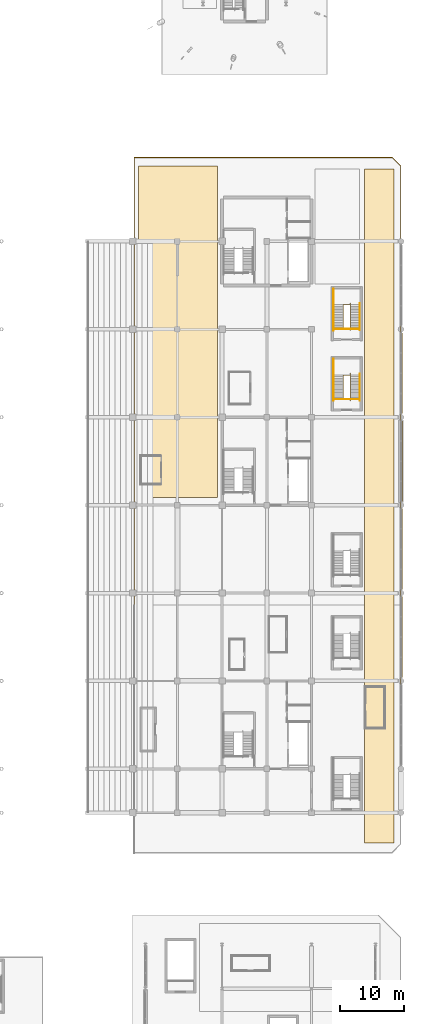
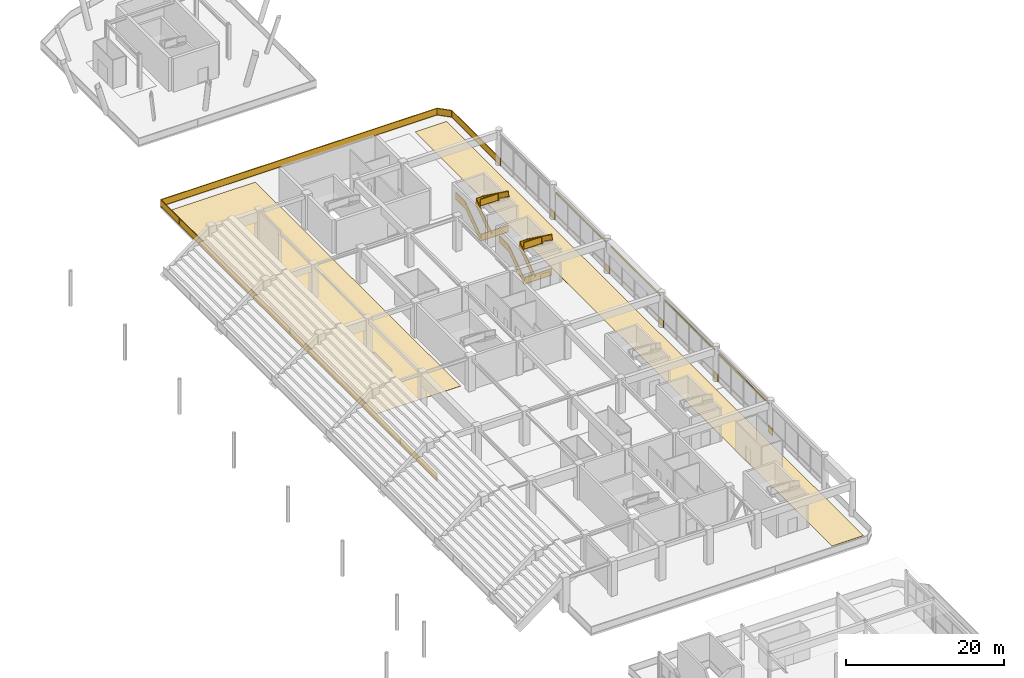
# One storey, part 112 of 117: 14 railings, 4 shading devices, 2 coverings.
"""IFC4 building model written with IfcOpenShell, lengths in metres."""

from ifc_helpers import new_model, si_unit, direction, frame, origin, origin_2d, place, context, subcontext, project, spatial, polyline, rectangle, outline, extrude, material, layer, layer_set, type_object, element, save


model = new_model("IFC4")

# Units and contexts
model_context = context("Model", 3, precision=1e-05, world=origin(), true_north=direction((0.0, 1.0)))
body_context = subcontext(model_context, "Body", "Model", "MODEL_VIEW")
ifc_project = project(units=[si_unit("LENGTHUNIT", "METRE"), si_unit("AREAUNIT", "SQUARE_METRE"), si_unit("VOLUMEUNIT", "CUBIC_METRE"), si_unit("PLANEANGLEUNIT", "RADIAN"), si_unit("MASSUNIT", "GRAM", prefix="KILO")], contexts=[model_context])

# Site, building, storey
site_placement = place(None, origin())
site = spatial("IfcSite", under=ifc_project, at=site_placement, CompositionType="ELEMENT")
building_placement = place(site_placement, origin())
building = spatial("IfcBuilding", under=site, at=building_placement, Name="Linyun Crest Stadium", CompositionType="ELEMENT")
storey_placement = place(building_placement, frame((0.0, 0.0, 6.0)))
storey = spatial("IfcBuildingStorey", under=building, at=storey_placement, Name="L02", CompositionType="ELEMENT", Elevation=6.0)

# Coverings
ifc_material_1 = material(Name="Terrazzo concourse and hospitality floor finish")
ifc_layer_1 = layer(ifc_material_1, 0.02197265625)
ifc_layer_set_1 = layer_set([ifc_layer_1], Name="Terrazzo concourse and hospitality floor finish")
covering_type = type_object("IfcCoveringType", Name="FLR02", PredefinedType="FLOORING", material=ifc_layer_set_1)
covering_1_placement = place(storey_placement, origin())
element("IfcCovering", 1, at=covering_1_placement, inside=storey, type_object=covering_type, Name="Terrazzo flooring FLR02 22", PredefinedType="FLOORING", context=body_context, shape_type="SweptSolid", body=[
    extrude(outline(polyline([(92.300048828125, -50.699951171875), (96.89990234375, -50.699951171875), (96.89990234375, 54.699951171875), (92.300048828125, 54.699951171875), (92.300048828125, -50.699951171875)])), origin(), (0.0, 0.0, 1.0), 0.02197265625),
])
covering_2_placement = place(storey_placement, origin())
element("IfcCovering", 2, at=covering_2_placement, inside=storey, type_object=covering_type, Name="Terrazzo flooring FLR02 23", PredefinedType="FLOORING", context=body_context, shape_type="SweptSolid", body=[
    extrude(outline(polyline([(56.89990234375, 3.300048828125), (69.300048828125, 3.300048828125), (69.300048828125, 55.199951171875), (56.89990234375, 55.199951171875), (56.89990234375, 3.300048828125)])), origin(), (0.0, 0.0, 1.0), 0.02197265625),
])

# Railings
ifc_material_2 = material(Name="Galvanized and powder-coated steel bowl safety barrier", Category="steel")
railing_type_1 = type_object("IfcRailingType", Name="GR02", PredefinedType="GUARDRAIL", material=ifc_material_2)
railing_1_placement = place(storey_placement, frame((97.93994140625, -24.824951171875, 0.0)))
element("IfcRailing", 3, at=railing_1_placement, inside=storey, type_object=railing_type_1, Name="Slab edge balustrade GR02 118", PredefinedType="GUARDRAIL", context=body_context, shape_type="SweptSolid", body=[
    extrude(rectangle(XDim=0.06005859375, YDim=0.06005859375, at=origin_2d()), frame((0.0, 0.0, 1.090087890625), z_axis=(0.0, -1.0, 0.0), x_axis=(1.0, 0.0, 0.0)), (0.0, 0.0, 1.0), 1.10009765625),
    extrude(rectangle(XDim=0.030029296875, YDim=1.0, at=origin_2d()), frame((0.0, 0.0, 0.56005859375), z_axis=(0.0, -1.0, 0.0), x_axis=(1.0, 0.0, 0.0)), (0.0, 0.0, 1.0), 1.10009765625),
    extrude(rectangle(XDim=0.06005859375, YDim=0.06005859375, at=origin_2d()), frame((0.0, 0.0, 0.030029296875), z_axis=(0.0, -1.0, 0.0), x_axis=(1.0, 0.0, 0.0)), (0.0, 0.0, 1.0), 1.10009765625),
    extrude(rectangle(XDim=0.050048828125, YDim=0.050048828125, at=origin_2d()), origin(), (0.0, 0.0, 1.0), 1.1201171875),
    extrude(rectangle(XDim=0.050048828125, YDim=0.050048828125, at=origin_2d()), frame((0.0, -1.10009765625, 0.0)), (0.0, 0.0, 1.0), 1.1201171875),
])
railing_2_placement = place(storey_placement, frame((56.260009765625, -13.330078125, 0.0)))
element("IfcRailing", 4, at=railing_2_placement, inside=storey, type_object=railing_type_1, Name="Slab edge balustrade GR02 124", PredefinedType="GUARDRAIL", context=body_context, shape_type="SweptSolid", body=[
    extrude(rectangle(XDim=0.06005859375, YDim=0.06005859375, at=origin_2d()), frame((0.0, 0.0, 1.090087890625), z_axis=(0.0, 1.0, 0.0), x_axis=(-1.0, 0.0, 0.0)), (0.0, 0.0, 1.0), 69.85498046875),
    extrude(rectangle(XDim=0.030029296875, YDim=1.0, at=origin_2d()), frame((0.0, 0.0, 0.56005859375), z_axis=(0.0, 1.0, 0.0), x_axis=(-1.0, 0.0, 0.0)), (0.0, 0.0, 1.0), 69.85498046875),
    extrude(rectangle(XDim=0.06005859375, YDim=0.06005859375, at=origin_2d()), frame((0.0, 0.0, 0.030029296875), z_axis=(0.0, 1.0, 0.0), x_axis=(-1.0, 0.0, 0.0)), (0.0, 0.0, 1.0), 69.85498046875),
    extrude(rectangle(XDim=0.06005859375, YDim=0.06005859375, at=origin_2d()), frame((0.0, 69.85498046875, 1.090087890625), z_axis=(1.0, 0.0, 0.0), x_axis=(0.0, 1.0, 0.0)), (0.0, 0.0, 1.0), 40.31494140625),
    extrude(rectangle(XDim=0.030029296875, YDim=1.0, at=origin_2d()), frame((0.0, 69.85498046875, 0.56005859375), z_axis=(1.0, 0.0, 0.0), x_axis=(0.0, 1.0, 0.0)), (0.0, 0.0, 1.0), 40.31494140625),
    extrude(rectangle(XDim=0.06005859375, YDim=0.06005859375, at=origin_2d()), frame((0.0, 69.85498046875, 0.030029296875), z_axis=(1.0, 0.0, 0.0), x_axis=(0.0, 1.0, 0.0)), (0.0, 0.0, 1.0), 40.31494140625),
    extrude(rectangle(XDim=0.06005859375, YDim=0.06005859375, at=origin_2d()), frame((40.31494140625, 69.85498046875, 1.090087890625), z_axis=(0.707106781187, -0.707106781187, 0.0), x_axis=(0.707106781187, 0.707106781187, 0.0)), (0.0, 0.0, 1.0), 1.930419921875),
    extrude(rectangle(XDim=0.030029296875, YDim=1.0, at=origin_2d()), frame((40.31494140625, 69.85498046875, 0.56005859375), z_axis=(0.707106781187, -0.707106781187, 0.0), x_axis=(0.707106781187, 0.707106781187, 0.0)), (0.0, 0.0, 1.0), 1.930419921875),
    extrude(rectangle(XDim=0.06005859375, YDim=0.06005859375, at=origin_2d()), frame((40.31494140625, 69.85498046875, 0.030029296875), z_axis=(0.707106781187, -0.707106781187, 0.0), x_axis=(0.707106781187, 0.707106781187, 0.0)), (0.0, 0.0, 1.0), 1.930419921875),
    extrude(rectangle(XDim=0.06005859375, YDim=0.06005859375, at=origin_2d()), frame((41.679931640625, 68.489990234375, 1.090087890625), z_axis=(0.0, -1.0, 0.0), x_axis=(1.0, 0.0, 0.0)), (0.0, 0.0, 1.0), 12.3349609375),
    extrude(rectangle(XDim=0.030029296875, YDim=1.0, at=origin_2d()), frame((41.679931640625, 68.489990234375, 0.56005859375), z_axis=(0.0, -1.0, 0.0), x_axis=(1.0, 0.0, 0.0)), (0.0, 0.0, 1.0), 12.3349609375),
    extrude(rectangle(XDim=0.06005859375, YDim=0.06005859375, at=origin_2d()), frame((41.679931640625, 68.489990234375, 0.030029296875), z_axis=(0.0, -1.0, 0.0), x_axis=(1.0, 0.0, 0.0)), (0.0, 0.0, 1.0), 12.3349609375),
    extrude(rectangle(XDim=0.050048828125, YDim=0.050048828125, at=origin_2d()), origin(), (0.0, 0.0, 1.0), 1.1201171875),
    extrude(rectangle(XDim=0.050048828125, YDim=0.050048828125, at=origin_2d()), frame((0.0, 4.656982421875, 0.0)), (0.0, 0.0, 1.0), 1.1201171875),
    extrude(rectangle(XDim=0.050048828125, YDim=0.050048828125, at=origin_2d()), frame((0.0, 9.31396484375, 0.0)), (0.0, 0.0, 1.0), 1.1201171875),
    extrude(rectangle(XDim=0.050048828125, YDim=0.050048828125, at=origin_2d()), frame((0.0, 13.970947265625, 0.0)), (0.0, 0.0, 1.0), 1.1201171875),
    extrude(rectangle(XDim=0.050048828125, YDim=0.050048828125, at=origin_2d()), frame((0.0, 18.6279296875, 0.0)), (0.0, 0.0, 1.0), 1.1201171875),
    extrude(rectangle(XDim=0.050048828125, YDim=0.050048828125, at=origin_2d()), frame((0.0, 23.284912109375, 0.0)), (0.0, 0.0, 1.0), 1.1201171875),
    extrude(rectangle(XDim=0.050048828125, YDim=0.050048828125, at=origin_2d()), frame((0.0, 27.94189453125, 0.0)), (0.0, 0.0, 1.0), 1.1201171875),
    extrude(rectangle(XDim=0.050048828125, YDim=0.050048828125, at=origin_2d()), frame((0.0, 32.598876953125, 0.0)), (0.0, 0.0, 1.0), 1.1201171875),
    extrude(rectangle(XDim=0.050048828125, YDim=0.050048828125, at=origin_2d()), frame((0.0, 37.256103515625, 0.0)), (0.0, 0.0, 1.0), 1.1201171875),
    extrude(rectangle(XDim=0.050048828125, YDim=0.050048828125, at=origin_2d()), frame((0.0, 41.9130859375, 0.0)), (0.0, 0.0, 1.0), 1.1201171875),
    extrude(rectangle(XDim=0.050048828125, YDim=0.050048828125, at=origin_2d()), frame((0.0, 46.570068359375, 0.0)), (0.0, 0.0, 1.0), 1.1201171875),
    extrude(rectangle(XDim=0.050048828125, YDim=0.050048828125, at=origin_2d()), frame((0.0, 51.22705078125, 0.0)), (0.0, 0.0, 1.0), 1.1201171875),
    extrude(rectangle(XDim=0.050048828125, YDim=0.050048828125, at=origin_2d()), frame((0.0, 55.884033203125, 0.0)), (0.0, 0.0, 1.0), 1.1201171875),
    extrude(rectangle(XDim=0.050048828125, YDim=0.050048828125, at=origin_2d()), frame((0.0, 60.541015625, 0.0)), (0.0, 0.0, 1.0), 1.1201171875),
    extrude(rectangle(XDim=0.050048828125, YDim=0.050048828125, at=origin_2d()), frame((0.0, 65.197998046875, 0.0)), (0.0, 0.0, 1.0), 1.1201171875),
    extrude(rectangle(XDim=0.050048828125, YDim=0.050048828125, at=origin_2d()), frame((0.0, 69.85498046875, 0.0)), (0.0, 0.0, 1.0), 1.1201171875),
    extrude(rectangle(XDim=0.050048828125, YDim=0.050048828125, at=origin_2d()), frame((4.4794921875, 69.85498046875, 0.0)), (0.0, 0.0, 1.0), 1.1201171875),
    extrude(rectangle(XDim=0.050048828125, YDim=0.050048828125, at=origin_2d()), frame((8.958984375, 69.85498046875, 0.0)), (0.0, 0.0, 1.0), 1.1201171875),
    extrude(rectangle(XDim=0.050048828125, YDim=0.050048828125, at=origin_2d()), frame((13.438232421875, 69.85498046875, 0.0)), (0.0, 0.0, 1.0), 1.1201171875),
    extrude(rectangle(XDim=0.050048828125, YDim=0.050048828125, at=origin_2d()), frame((17.917724609375, 69.85498046875, 0.0)), (0.0, 0.0, 1.0), 1.1201171875),
    extrude(rectangle(XDim=0.050048828125, YDim=0.050048828125, at=origin_2d()), frame((22.397216796875, 69.85498046875, 0.0)), (0.0, 0.0, 1.0), 1.1201171875),
    extrude(rectangle(XDim=0.050048828125, YDim=0.050048828125, at=origin_2d()), frame((26.876708984375, 69.85498046875, 0.0)), (0.0, 0.0, 1.0), 1.1201171875),
    extrude(rectangle(XDim=0.050048828125, YDim=0.050048828125, at=origin_2d()), frame((31.35595703125, 69.85498046875, 0.0)), (0.0, 0.0, 1.0), 1.1201171875),
    extrude(rectangle(XDim=0.050048828125, YDim=0.050048828125, at=origin_2d()), frame((35.83544921875, 69.85498046875, 0.0)), (0.0, 0.0, 1.0), 1.1201171875),
    extrude(rectangle(XDim=0.050048828125, YDim=0.050048828125, at=origin_2d()), frame((40.31494140625, 69.85498046875, 0.0)), (0.0, 0.0, 1.0), 1.1201171875),
    extrude(rectangle(XDim=0.050048828125, YDim=0.050048828125, at=origin_2d()), frame((41.679931640625, 68.489990234375, 0.0)), (0.0, 0.0, 1.0), 1.1201171875),
    extrude(rectangle(XDim=0.050048828125, YDim=0.050048828125, at=origin_2d()), frame((41.679931640625, 64.37841796875, 0.0)), (0.0, 0.0, 1.0), 1.1201171875),
    extrude(rectangle(XDim=0.050048828125, YDim=0.050048828125, at=origin_2d()), frame((41.679931640625, 60.2666015625, 0.0)), (0.0, 0.0, 1.0), 1.1201171875),
    extrude(rectangle(XDim=0.050048828125, YDim=0.050048828125, at=origin_2d()), frame((41.679931640625, 56.155029296875, 0.0)), (0.0, 0.0, 1.0), 1.1201171875),
])
for number, where, name in (
    (5, (97.93994140625, 30.175048828125, 0.0), "Slab edge balustrade GR02 125"),
    (6, (97.93994140625, 16.425048828125, 0.0), "Slab edge balustrade GR02 126"),
    (7, (97.93994140625, 2.675048828125, 0.0), "Slab edge balustrade GR02 127"),
    (8, (97.93994140625, -11.074951171875, 0.0), "Slab edge balustrade GR02 128"),
):
    element("IfcRailing", number, at=place(storey_placement, frame(where)), inside=storey, type_object=railing_type_1, Name=name, PredefinedType="GUARDRAIL", context=body_context, shape_type="SweptSolid", body=[
        extrude(rectangle(XDim=0.06005859375, YDim=0.06005859375, at=origin_2d()), frame((0.0, 0.0, 1.090087890625), z_axis=(0.0, -1.0, 0.0), x_axis=(1.0, 0.0, 0.0)), (0.0, 0.0, 1.0), 1.10009765625),
        extrude(rectangle(XDim=0.030029296875, YDim=1.0, at=origin_2d()), frame((0.0, 0.0, 0.56005859375), z_axis=(0.0, -1.0, 0.0), x_axis=(1.0, 0.0, 0.0)), (0.0, 0.0, 1.0), 1.10009765625),
        extrude(rectangle(XDim=0.06005859375, YDim=0.06005859375, at=origin_2d()), frame((0.0, 0.0, 0.030029296875), z_axis=(0.0, -1.0, 0.0), x_axis=(1.0, 0.0, 0.0)), (0.0, 0.0, 1.0), 1.10009765625),
        extrude(rectangle(XDim=0.050048828125, YDim=0.050048828125, at=origin_2d()), origin(), (0.0, 0.0, 1.0), 1.1201171875),
        extrude(rectangle(XDim=0.050048828125, YDim=0.050048828125, at=origin_2d()), frame((0.0, -1.10009765625, 0.0)), (0.0, 0.0, 1.0), 1.1201171875),
    ])
for number, where, name in (
    (9, (87.5400390625, 18.68994140625, 0.0), "Slab edge balustrade GR02 130"),
    (10, (87.5400390625, 29.68994140625, 0.0), "Slab edge balustrade GR02 131"),
):
    element("IfcRailing", number, at=place(storey_placement, frame(where)), inside=storey, type_object=railing_type_1, Name=name, PredefinedType="GUARDRAIL", context=body_context, shape_type="SweptSolid", body=[
        extrude(rectangle(XDim=0.06005859375, YDim=0.06005859375, at=origin_2d()), frame((0.0, 0.0, 1.090087890625), z_axis=(1.0, 0.0, 0.0), x_axis=(0.0, 1.0, 0.0)), (0.0, 0.0, 1.0), 3.919921875),
        extrude(rectangle(XDim=0.030029296875, YDim=1.0, at=origin_2d()), frame((0.0, 0.0, 0.56005859375), z_axis=(1.0, 0.0, 0.0), x_axis=(0.0, 1.0, 0.0)), (0.0, 0.0, 1.0), 3.919921875),
        extrude(rectangle(XDim=0.06005859375, YDim=0.06005859375, at=origin_2d()), frame((0.0, 0.0, 0.030029296875), z_axis=(1.0, 0.0, 0.0), x_axis=(0.0, 1.0, 0.0)), (0.0, 0.0, 1.0), 3.919921875),
        extrude(rectangle(XDim=0.050048828125, YDim=0.050048828125, at=origin_2d()), origin(), (0.0, 0.0, 1.0), 1.1201171875),
        extrude(rectangle(XDim=0.050048828125, YDim=0.050048828125, at=origin_2d()), frame((3.919921875, 0.0, 0.0)), (0.0, 0.0, 1.0), 1.1201171875),
    ])
ifc_material_3 = material(Name="Painted steel stairwell safety guard", Category="steel")
railing_type_2 = type_object("IfcRailingType", Name="GR03", PredefinedType="GUARDRAIL", material=ifc_material_3)
railing_3_placement = place(storey_placement, frame((87.429931640625, 18.719970703125, 0.0)))
element("IfcRailing", 11, at=railing_3_placement, inside=storey, type_object=railing_type_2, Name="STR-21-L02 outer guard", PredefinedType="GUARDRAIL", context=body_context, shape_type="SweptSolid", body=[
    extrude(rectangle(XDim=0.06005859375, YDim=0.06005859375, at=origin_2d()), frame((0.0, 0.0, 1.090087890625), z_axis=(0.0, 0.811539352079, 0.584297766578), x_axis=(-1.0, 0.0, 0.0)), (0.0, 0.0, 1.0), 4.620849609375),
    extrude(rectangle(XDim=0.030029296875, YDim=1.0, at=origin_2d()), frame((0.0, 0.0, 0.56005859375), z_axis=(0.0, 0.811539352079, 0.584297766578), x_axis=(-1.0, 0.0, 0.0)), (0.0, 0.0, 1.0), 4.620849609375),
    extrude(rectangle(XDim=0.06005859375, YDim=0.06005859375, at=origin_2d()), frame((0.0, 0.0, 0.030029296875), z_axis=(0.0, 0.811539352079, 0.584297766578), x_axis=(-1.0, 0.0, 0.0)), (0.0, 0.0, 1.0), 4.620849609375),
    extrude(rectangle(XDim=0.06005859375, YDim=0.06005859375, at=origin_2d()), frame((0.0, 3.75, 3.7900390625), z_axis=(0.0, 1.0, 0.0), x_axis=(-1.0, 0.0, 0.0)), (0.0, 0.0, 1.0), 2.5),
    extrude(rectangle(XDim=0.030029296875, YDim=1.0, at=origin_2d()), frame((0.0, 3.75, 3.260009765625), z_axis=(0.0, 1.0, 0.0), x_axis=(-1.0, 0.0, 0.0)), (0.0, 0.0, 1.0), 2.5),
    extrude(rectangle(XDim=0.06005859375, YDim=0.06005859375, at=origin_2d()), frame((0.0, 3.75, 2.72998046875), z_axis=(0.0, 1.0, 0.0), x_axis=(-1.0, 0.0, 0.0)), (0.0, 0.0, 1.0), 2.5),
    extrude(rectangle(XDim=0.050048828125, YDim=0.050048828125, at=origin_2d()), origin(), (0.0, 0.0, 1.0), 1.1201171875),
    extrude(rectangle(XDim=0.050048828125, YDim=0.050048828125, at=origin_2d()), frame((0.0, 1.25, 0.89990234375)), (0.0, 0.0, 1.0), 1.1201171875),
    extrude(rectangle(XDim=0.050048828125, YDim=0.050048828125, at=origin_2d()), frame((0.0, 2.5, 1.800048828125)), (0.0, 0.0, 1.0), 1.1201171875),
    extrude(rectangle(XDim=0.050048828125, YDim=0.050048828125, at=origin_2d()), frame((0.0, 3.75, 2.699951171875)), (0.0, 0.0, 1.0), 1.1201171875),
    extrude(rectangle(XDim=0.050048828125, YDim=0.050048828125, at=origin_2d()), frame((0.0, 5.0, 2.699951171875)), (0.0, 0.0, 1.0), 1.1201171875),
    extrude(rectangle(XDim=0.050048828125, YDim=0.050048828125, at=origin_2d()), frame((0.0, 6.25, 2.699951171875)), (0.0, 0.0, 1.0), 1.1201171875),
])
railing_4_placement = place(storey_placement, frame((88.969970703125, 18.699951171875, 0.0)))
element("IfcRailing", 12, at=railing_4_placement, inside=storey, type_object=railing_type_2, Name="STR-21-L02 inner well guard", PredefinedType="GUARDRAIL", context=body_context, shape_type="SweptSolid", body=[
    extrude(rectangle(XDim=0.06005859375, YDim=0.06005859375, at=origin_2d()), frame((0.0, 0.0, 1.090087890625), z_axis=(0.0, 0.813010693788, 0.582248754216), x_axis=(-1.0, 0.0, 0.0)), (0.0, 0.0, 1.0), 4.63720703125),
    extrude(rectangle(XDim=0.030029296875, YDim=1.0, at=origin_2d()), frame((0.0, 0.0, 0.56005859375), z_axis=(0.0, 0.813010693788, 0.582248754216), x_axis=(-1.0, 0.0, 0.0)), (0.0, 0.0, 1.0), 4.63720703125),
    extrude(rectangle(XDim=0.06005859375, YDim=0.06005859375, at=origin_2d()), frame((0.0, 0.0, 0.030029296875), z_axis=(0.0, 0.813010693788, 0.582248754216), x_axis=(-1.0, 0.0, 0.0)), (0.0, 0.0, 1.0), 4.63720703125),
    extrude(rectangle(XDim=0.06005859375, YDim=0.06005859375, at=origin_2d()), frame((0.0, 3.77001953125, 3.7900390625), z_axis=(1.0, 0.0, 0.0), x_axis=(0.0, 1.0, 0.0)), (0.0, 0.0, 1.0), 1.06005859375),
    extrude(rectangle(XDim=0.030029296875, YDim=1.0, at=origin_2d()), frame((0.0, 3.77001953125, 3.260009765625), z_axis=(1.0, 0.0, 0.0), x_axis=(0.0, 1.0, 0.0)), (0.0, 0.0, 1.0), 1.06005859375),
    extrude(rectangle(XDim=0.06005859375, YDim=0.06005859375, at=origin_2d()), frame((0.0, 3.77001953125, 2.72998046875), z_axis=(1.0, 0.0, 0.0), x_axis=(0.0, 1.0, 0.0)), (0.0, 0.0, 1.0), 1.06005859375),
    extrude(rectangle(XDim=0.06005859375, YDim=0.06005859375, at=origin_2d()), frame((1.06005859375, 3.77001953125, 3.7900390625), z_axis=(0.0, -0.813010693788, 0.582248754216), x_axis=(1.0, 0.0, 0.0)), (0.0, 0.0, 1.0), 4.63720703125),
    extrude(rectangle(XDim=0.030029296875, YDim=1.0, at=origin_2d()), frame((1.06005859375, 3.77001953125, 3.260009765625), z_axis=(0.0, -0.813010693788, 0.582248754216), x_axis=(1.0, 0.0, 0.0)), (0.0, 0.0, 1.0), 4.63720703125),
    extrude(rectangle(XDim=0.06005859375, YDim=0.06005859375, at=origin_2d()), frame((1.06005859375, 3.77001953125, 2.72998046875), z_axis=(0.0, -0.813010693788, 0.582248754216), x_axis=(1.0, 0.0, 0.0)), (0.0, 0.0, 1.0), 4.63720703125),
    extrude(rectangle(XDim=0.06005859375, YDim=0.06005859375, at=origin_2d()), frame((1.06005859375, 0.0, 6.489990234375), z_axis=(-1.0, 0.0, 0.0), x_axis=(0.0, -1.0, 0.0)), (0.0, 0.0, 1.0), 2.610107421875),
    extrude(rectangle(XDim=0.030029296875, YDim=1.0, at=origin_2d()), frame((1.06005859375, 0.0, 5.9599609375), z_axis=(-1.0, 0.0, 0.0), x_axis=(0.0, -1.0, 0.0)), (0.0, 0.0, 1.0), 2.610107421875),
    extrude(rectangle(XDim=0.06005859375, YDim=0.06005859375, at=origin_2d()), frame((1.06005859375, 0.0, 5.429931640625), z_axis=(-1.0, 0.0, 0.0), x_axis=(0.0, -1.0, 0.0)), (0.0, 0.0, 1.0), 2.610107421875),
    extrude(rectangle(XDim=0.050048828125, YDim=0.050048828125, at=origin_2d()), origin(), (0.0, 0.0, 1.0), 1.1201171875),
    extrude(rectangle(XDim=0.050048828125, YDim=0.050048828125, at=origin_2d()), frame((0.0, 1.256591796875, 0.89990234375)), (0.0, 0.0, 1.0), 1.1201171875),
    extrude(rectangle(XDim=0.050048828125, YDim=0.050048828125, at=origin_2d()), frame((0.0, 2.513427734375, 1.800048828125)), (0.0, 0.0, 1.0), 1.1201171875),
    extrude(rectangle(XDim=0.050048828125, YDim=0.050048828125, at=origin_2d()), frame((0.0, 3.77001953125, 2.699951171875)), (0.0, 0.0, 1.0), 1.1201171875),
    extrude(rectangle(XDim=0.050048828125, YDim=0.050048828125, at=origin_2d()), frame((1.06005859375, 3.77001953125, 2.699951171875)), (0.0, 0.0, 1.0), 1.1201171875),
    extrude(rectangle(XDim=0.050048828125, YDim=0.050048828125, at=origin_2d()), frame((1.06005859375, 2.513427734375, 3.599853515625)), (0.0, 0.0, 1.0), 1.1201171875),
    extrude(rectangle(XDim=0.050048828125, YDim=0.050048828125, at=origin_2d()), frame((1.06005859375, 1.256591796875, 4.5)), (0.0, 0.0, 1.0), 1.1201171875),
    extrude(rectangle(XDim=0.050048828125, YDim=0.050048828125, at=origin_2d()), frame((1.06005859375, 0.0, 5.39990234375)), (0.0, 0.0, 1.0), 1.1201171875),
    extrude(rectangle(XDim=0.050048828125, YDim=0.050048828125, at=origin_2d()), frame((-0.2451171875, 0.0, 5.39990234375)), (0.0, 0.0, 1.0), 1.1201171875),
    extrude(rectangle(XDim=0.050048828125, YDim=0.050048828125, at=origin_2d()), frame((-1.550048828125, 0.0, 5.39990234375)), (0.0, 0.0, 1.0), 1.1201171875),
])
railing_5_placement = place(storey_placement, frame((87.429931640625, 29.719970703125, 0.0)))
element("IfcRailing", 13, at=railing_5_placement, inside=storey, type_object=railing_type_2, Name="STR-22-L02 outer guard", PredefinedType="GUARDRAIL", context=body_context, shape_type="SweptSolid", body=[
    extrude(rectangle(XDim=0.06005859375, YDim=0.06005859375, at=origin_2d()), frame((0.0, 0.0, 1.090087890625), z_axis=(0.0, 0.811539352079, 0.584297766578), x_axis=(-1.0, 0.0, 0.0)), (0.0, 0.0, 1.0), 4.620849609375),
    extrude(rectangle(XDim=0.030029296875, YDim=1.0, at=origin_2d()), frame((0.0, 0.0, 0.56005859375), z_axis=(0.0, 0.811539352079, 0.584297766578), x_axis=(-1.0, 0.0, 0.0)), (0.0, 0.0, 1.0), 4.620849609375),
    extrude(rectangle(XDim=0.06005859375, YDim=0.06005859375, at=origin_2d()), frame((0.0, 0.0, 0.030029296875), z_axis=(0.0, 0.811539352079, 0.584297766578), x_axis=(-1.0, 0.0, 0.0)), (0.0, 0.0, 1.0), 4.620849609375),
    extrude(rectangle(XDim=0.06005859375, YDim=0.06005859375, at=origin_2d()), frame((0.0, 3.75, 3.7900390625), z_axis=(0.0, 1.0, 0.0), x_axis=(-1.0, 0.0, 0.0)), (0.0, 0.0, 1.0), 2.5),
    extrude(rectangle(XDim=0.030029296875, YDim=1.0, at=origin_2d()), frame((0.0, 3.75, 3.260009765625), z_axis=(0.0, 1.0, 0.0), x_axis=(-1.0, 0.0, 0.0)), (0.0, 0.0, 1.0), 2.5),
    extrude(rectangle(XDim=0.06005859375, YDim=0.06005859375, at=origin_2d()), frame((0.0, 3.75, 2.72998046875), z_axis=(0.0, 1.0, 0.0), x_axis=(-1.0, 0.0, 0.0)), (0.0, 0.0, 1.0), 2.5),
    extrude(rectangle(XDim=0.050048828125, YDim=0.050048828125, at=origin_2d()), origin(), (0.0, 0.0, 1.0), 1.1201171875),
    extrude(rectangle(XDim=0.050048828125, YDim=0.050048828125, at=origin_2d()), frame((0.0, 1.25, 0.89990234375)), (0.0, 0.0, 1.0), 1.1201171875),
    extrude(rectangle(XDim=0.050048828125, YDim=0.050048828125, at=origin_2d()), frame((0.0, 2.5, 1.800048828125)), (0.0, 0.0, 1.0), 1.1201171875),
    extrude(rectangle(XDim=0.050048828125, YDim=0.050048828125, at=origin_2d()), frame((0.0, 3.75, 2.699951171875)), (0.0, 0.0, 1.0), 1.1201171875),
    extrude(rectangle(XDim=0.050048828125, YDim=0.050048828125, at=origin_2d()), frame((0.0, 5.0, 2.699951171875)), (0.0, 0.0, 1.0), 1.1201171875),
    extrude(rectangle(XDim=0.050048828125, YDim=0.050048828125, at=origin_2d()), frame((0.0, 6.25, 2.699951171875)), (0.0, 0.0, 1.0), 1.1201171875),
])
railing_6_placement = place(storey_placement, frame((88.969970703125, 29.699951171875, 0.0)))
element("IfcRailing", 14, at=railing_6_placement, inside=storey, type_object=railing_type_2, Name="STR-22-L02 inner well guard", PredefinedType="GUARDRAIL", context=body_context, shape_type="SweptSolid", body=[
    extrude(rectangle(XDim=0.06005859375, YDim=0.06005859375, at=origin_2d()), frame((0.0, 0.0, 1.090087890625), z_axis=(0.0, 0.813010693788, 0.582248754216), x_axis=(-1.0, 0.0, 0.0)), (0.0, 0.0, 1.0), 4.63720703125),
    extrude(rectangle(XDim=0.030029296875, YDim=1.0, at=origin_2d()), frame((0.0, 0.0, 0.56005859375), z_axis=(0.0, 0.813010693788, 0.582248754216), x_axis=(-1.0, 0.0, 0.0)), (0.0, 0.0, 1.0), 4.63720703125),
    extrude(rectangle(XDim=0.06005859375, YDim=0.06005859375, at=origin_2d()), frame((0.0, 0.0, 0.030029296875), z_axis=(0.0, 0.813010693788, 0.582248754216), x_axis=(-1.0, 0.0, 0.0)), (0.0, 0.0, 1.0), 4.63720703125),
    extrude(rectangle(XDim=0.06005859375, YDim=0.06005859375, at=origin_2d()), frame((0.0, 3.77001953125, 3.7900390625), z_axis=(1.0, 0.0, 0.0), x_axis=(0.0, 1.0, 0.0)), (0.0, 0.0, 1.0), 1.06005859375),
    extrude(rectangle(XDim=0.030029296875, YDim=1.0, at=origin_2d()), frame((0.0, 3.77001953125, 3.260009765625), z_axis=(1.0, 0.0, 0.0), x_axis=(0.0, 1.0, 0.0)), (0.0, 0.0, 1.0), 1.06005859375),
    extrude(rectangle(XDim=0.06005859375, YDim=0.06005859375, at=origin_2d()), frame((0.0, 3.77001953125, 2.72998046875), z_axis=(1.0, 0.0, 0.0), x_axis=(0.0, 1.0, 0.0)), (0.0, 0.0, 1.0), 1.06005859375),
    extrude(rectangle(XDim=0.06005859375, YDim=0.06005859375, at=origin_2d()), frame((1.06005859375, 3.77001953125, 3.7900390625), z_axis=(0.0, -0.813010693788, 0.582248754216), x_axis=(1.0, 0.0, 0.0)), (0.0, 0.0, 1.0), 4.63720703125),
    extrude(rectangle(XDim=0.030029296875, YDim=1.0, at=origin_2d()), frame((1.06005859375, 3.77001953125, 3.260009765625), z_axis=(0.0, -0.813010693788, 0.582248754216), x_axis=(1.0, 0.0, 0.0)), (0.0, 0.0, 1.0), 4.63720703125),
    extrude(rectangle(XDim=0.06005859375, YDim=0.06005859375, at=origin_2d()), frame((1.06005859375, 3.77001953125, 2.72998046875), z_axis=(0.0, -0.813010693788, 0.582248754216), x_axis=(1.0, 0.0, 0.0)), (0.0, 0.0, 1.0), 4.63720703125),
    extrude(rectangle(XDim=0.06005859375, YDim=0.06005859375, at=origin_2d()), frame((1.06005859375, 0.0, 6.489990234375), z_axis=(-1.0, 0.0, 0.0), x_axis=(0.0, -1.0, 0.0)), (0.0, 0.0, 1.0), 2.610107421875),
    extrude(rectangle(XDim=0.030029296875, YDim=1.0, at=origin_2d()), frame((1.06005859375, 0.0, 5.9599609375), z_axis=(-1.0, 0.0, 0.0), x_axis=(0.0, -1.0, 0.0)), (0.0, 0.0, 1.0), 2.610107421875),
    extrude(rectangle(XDim=0.06005859375, YDim=0.06005859375, at=origin_2d()), frame((1.06005859375, 0.0, 5.429931640625), z_axis=(-1.0, 0.0, 0.0), x_axis=(0.0, -1.0, 0.0)), (0.0, 0.0, 1.0), 2.610107421875),
    extrude(rectangle(XDim=0.050048828125, YDim=0.050048828125, at=origin_2d()), origin(), (0.0, 0.0, 1.0), 1.1201171875),
    extrude(rectangle(XDim=0.050048828125, YDim=0.050048828125, at=origin_2d()), frame((0.0, 1.256591796875, 0.89990234375)), (0.0, 0.0, 1.0), 1.1201171875),
    extrude(rectangle(XDim=0.050048828125, YDim=0.050048828125, at=origin_2d()), frame((0.0, 2.513427734375, 1.800048828125)), (0.0, 0.0, 1.0), 1.1201171875),
    extrude(rectangle(XDim=0.050048828125, YDim=0.050048828125, at=origin_2d()), frame((0.0, 3.77001953125, 2.699951171875)), (0.0, 0.0, 1.0), 1.1201171875),
    extrude(rectangle(XDim=0.050048828125, YDim=0.050048828125, at=origin_2d()), frame((1.06005859375, 3.77001953125, 2.699951171875)), (0.0, 0.0, 1.0), 1.1201171875),
    extrude(rectangle(XDim=0.050048828125, YDim=0.050048828125, at=origin_2d()), frame((1.06005859375, 2.513427734375, 3.599853515625)), (0.0, 0.0, 1.0), 1.1201171875),
    extrude(rectangle(XDim=0.050048828125, YDim=0.050048828125, at=origin_2d()), frame((1.06005859375, 1.256591796875, 4.5)), (0.0, 0.0, 1.0), 1.1201171875),
    extrude(rectangle(XDim=0.050048828125, YDim=0.050048828125, at=origin_2d()), frame((1.06005859375, 0.0, 5.39990234375)), (0.0, 0.0, 1.0), 1.1201171875),
    extrude(rectangle(XDim=0.050048828125, YDim=0.050048828125, at=origin_2d()), frame((-0.2451171875, 0.0, 5.39990234375)), (0.0, 0.0, 1.0), 1.1201171875),
    extrude(rectangle(XDim=0.050048828125, YDim=0.050048828125, at=origin_2d()), frame((-1.550048828125, 0.0, 5.39990234375)), (0.0, 0.0, 1.0), 1.1201171875),
])
ifc_material_4 = material(Name="Brushed stainless steel tubular handrail", Category="steel")
railing_type_3 = type_object("IfcRailingType", Name="HR01", PredefinedType="HANDRAIL", material=ifc_material_4)
for number, where, name in (
    (15, (91.52001953125, 22.469970703125, 2.699951171875), "STR-21-L02 handrail"),
    (16, (91.52001953125, 33.469970703125, 2.699951171875), "STR-22-L02 handrail"),
):
    element("IfcRailing", number, at=place(storey_placement, frame(where)), inside=storey, type_object=railing_type_3, Name=name, PredefinedType="HANDRAIL", context=body_context, shape_type="SweptSolid", body=[
        extrude(rectangle(XDim=0.06005859375, YDim=0.06005859375, at=origin_2d()), frame((0.0, 0.0, 0.889892578125), z_axis=(0.0, -0.811539352079, 0.584297766578), x_axis=(1.0, 0.0, 0.0)), (0.0, 0.0, 1.0), 4.620849609375),
        extrude(rectangle(XDim=0.030029296875, YDim=0.7998046875, at=origin_2d()), frame((0.0, 0.0, 0.4599609375), z_axis=(0.0, -0.811539352079, 0.584297766578), x_axis=(1.0, 0.0, 0.0)), (0.0, 0.0, 1.0), 4.620849609375),
        extrude(rectangle(XDim=0.06005859375, YDim=0.06005859375, at=origin_2d()), frame((0.0, 0.0, 0.030029296875), z_axis=(0.0, -0.811539352079, 0.584297766578), x_axis=(1.0, 0.0, 0.0)), (0.0, 0.0, 1.0), 4.620849609375),
        extrude(rectangle(XDim=0.050048828125, YDim=0.050048828125, at=origin_2d()), origin(), (0.0, 0.0, 1.0), 0.919921875),
        extrude(rectangle(XDim=0.050048828125, YDim=0.050048828125, at=origin_2d()), frame((0.0, -1.25, 0.89990234375)), (0.0, 0.0, 1.0), 0.919921875),
        extrude(rectangle(XDim=0.050048828125, YDim=0.050048828125, at=origin_2d()), frame((0.0, -2.5, 1.800048828125)), (0.0, 0.0, 1.0), 0.919921875),
        extrude(rectangle(XDim=0.050048828125, YDim=0.050048828125, at=origin_2d()), frame((0.0, -3.75, 2.699951171875)), (0.0, 0.0, 1.0), 0.919921875),
    ])

# Shading devices
ifc_material_5 = material(Name="Verdigris painted aluminium sun-louvre screen", Category="aluminium")
ifc_layer_2 = layer(ifc_material_5, 0.080078125)
ifc_layer_set_2 = layer_set([ifc_layer_2], Name="Verdigris painted aluminium sun-louvre screen")
shading_device_type = type_object("IfcShadingDeviceType", Name="SD01", PredefinedType="JALOUSIE", material=ifc_layer_set_2)
for number, where, z_axis, x_axis, name in (
    (17, (98.1201171875, -18.5, 4.159912109375), (0.0, 0.0, 1.0), (1.0, 0.0, 0.0), "Veranda monsoon louvre SD01 243"),
    (18, (98.1201171875, -4.75, 4.159912109375), (0.0, 0.0, 1.0), (1.0, 0.0, 0.0), "Veranda monsoon louvre SD01 247"),
    (19, (98.1201171875, 9.0, 4.159912109375), (0.0, 0.0, 1.0), (1.0, 0.0, 0.0), "Veranda monsoon louvre SD01 251"),
    (20, (98.1201171875, 22.75, 4.159912109375), (0.0, 0.0, 1.0), (1.0, 0.0, 0.0), "Veranda monsoon louvre SD01 255"),
):
    element("IfcShadingDevice", number, at=place(storey_placement, frame(where, z_axis=z_axis, x_axis=x_axis)), inside=storey, type_object=shading_device_type, Name=name, PredefinedType="JALOUSIE", context=body_context, shape_type="SweptSolid", body=[
        extrude(rectangle(XDim=0.159912109375, YDim=12.550048828125, at=origin_2d()), origin(), (0.0, 0.0, 1.0), 0.1201171875),
    ])

save(model, "model.ifc")
